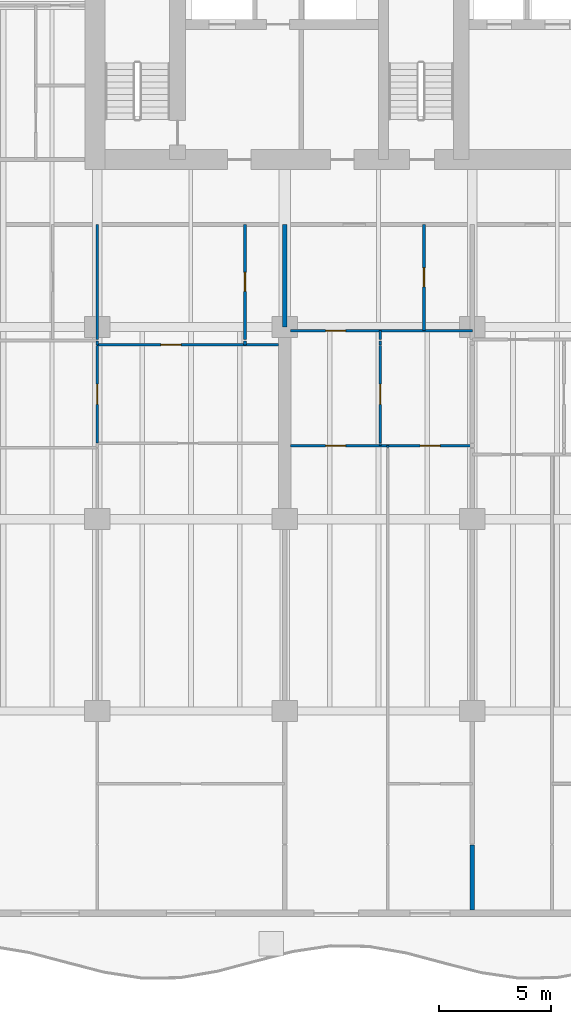
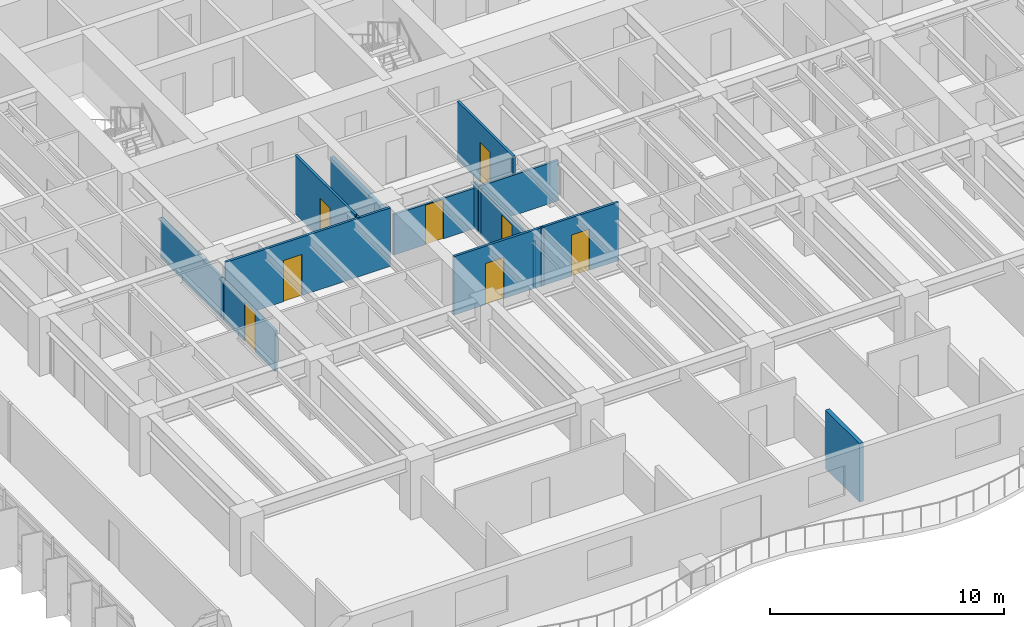
# One storey, part 7 of 18: 16 walls, 8 doors, 8 openings.
"""IFC4 building model written with IfcOpenShell, lengths in metres."""

from ifc_helpers import new_model, si_unit, direction, frame, frame_2d, origin, place, context, subcontext, project, spatial, rectangle, extrude, material, layer, layer_set, type_object, element, fill, save


model = new_model("IFC4")

# Units and contexts
model_context = context("Model", 3, precision=1e-05, world=origin(), true_north=direction((0.0, 1.0)))
body_context = subcontext(model_context, "Body", "Model", "MODEL_VIEW")
ifc_project = project(units=[si_unit("LENGTHUNIT", "METRE"), si_unit("AREAUNIT", "SQUARE_METRE"), si_unit("VOLUMEUNIT", "CUBIC_METRE"), si_unit("PLANEANGLEUNIT", "RADIAN"), si_unit("MASSUNIT", "GRAM", prefix="KILO")], contexts=[model_context])

# Site, building, storey
site_placement = place(None, origin())
site = spatial("IfcSite", under=ifc_project, at=site_placement, CompositionType="ELEMENT")
building_placement = place(site_placement, origin())
building = spatial("IfcBuilding", under=site, at=building_placement, Name="Caelmar Bay Residences", CompositionType="ELEMENT")
storey_placement = place(building_placement, frame((0.0, 0.0, 39.89990234375)))
storey = spatial("IfcBuildingStorey", under=building, at=storey_placement, Name="L09", CompositionType="ELEMENT", Elevation=39.89990234375)

# Wall, opening, door
ifc_material_1 = material(Name="Acoustic metal-stud gypsum partition 120 mm")
ifc_layer_1 = layer(ifc_material_1, 0.1201171875)
ifc_layer_set_1 = layer_set([ifc_layer_1], Name="Acoustic metal-stud gypsum partition 120 mm")
wall_type_1 = type_object("IfcWallType", Name="W-PRT-120", PredefinedType="PARTITIONING", material=ifc_layer_set_1)
wall_1_placement = place(storey_placement, frame((18.300048828125, 24.199951171875, 0.0), z_axis=(0.0, 0.0, 1.0), x_axis=(0.0, 1.0, 0.0)))
wall_1 = element("IfcWall", 1, at=wall_1_placement, inside=storey, type_object=wall_type_1, Name="L09 Partition Wall V023", PredefinedType="PARTITIONING", context=body_context, shape_type="SweptSolid", body=[
    extrude(rectangle(XDim=4.380126953125, YDim=0.1201171875, at=frame_2d((2.18994140625, 0.0))), origin(), (0.0, 0.0, 1.0), 2.110107421875),
])
opening_1_placement = place(wall_1_placement, frame((1.739990234375, 0.0, 0.0)))
opening_1 = element("IfcOpeningElement", 2, at=opening_1_placement, cuts=wall_1, Name="Opening D-L09-126", PredefinedType="OPENING", context=body_context, shape_type="SweptSolid", body=[
    extrude(rectangle(XDim=0.89990234375, YDim=2.06005859375, at=frame_2d((0.449951171875, 1.030029296875))), frame((0.0, 0.070068359375, 0.0), z_axis=(0.0, -1.0, 0.0), x_axis=(1.0, 0.0, 0.0)), (0.0, 0.0, 1.0), 0.14013671875),
])
ifc_material_2 = material(Name="Solid walnut timber interior door leaf and frame", Category="wood")
ifc_layer_2 = layer(ifc_material_2, 0.050048828125)
ifc_layer_set_2 = layer_set([ifc_layer_2], Name="Solid walnut timber interior door leaf and frame")
door_type_1 = type_object("IfcDoorType", Name="D-ROOM-900", OperationType="NOTDEFINED", PredefinedType="DOOR", material=ifc_layer_set_2)
door_1_placement = place(opening_1_placement, origin())
door_1 = element("IfcDoor", 3, at=door_1_placement, inside=storey, type_object=door_type_1, Name="L09 Residence 01 Library Study 1 Door", OperationType="SINGLE_SWING_LEFT", OverallHeight=2.06005859375, OverallWidth=0.89990234375, PredefinedType="DOOR", context=body_context, shape_type="SweptSolid", body=[
    extrude(rectangle(XDim=0.89990234375, YDim=2.06005859375, at=frame_2d((0.449951171875, 1.030029296875))), frame((0.0, 0.02490234375, 0.0), z_axis=(0.0, -1.0, 0.0), x_axis=(1.0, 0.0, 0.0)), (0.0, 0.0, 1.0), 0.050048828125),
])
fill(opening_1, door_1)

# Walls
wall_2_placement = place(storey_placement, frame((18.300048828125, 28.60009765625, 0.0), z_axis=(0.0, 0.0, 1.0), x_axis=(0.0, 1.0, 0.0)))
element("IfcWall", 4, at=wall_2_placement, inside=storey, type_object=wall_type_1, Name="L09 Partition Wall V024", PredefinedType="PARTITIONING", context=body_context, shape_type="SweptSolid", body=[
    extrude(rectangle(XDim=0.179931640625, YDim=0.1201171875, at=frame_2d((0.08984375, 0.0))), origin(), (0.0, 0.0, 1.0), 2.110107421875),
])
wall_3_placement = place(storey_placement, frame((18.300048828125, 28.840087890625, 0.0), z_axis=(0.0, 0.0, 1.0), x_axis=(0.0, 1.0, 0.0)))
element("IfcWall", 5, at=wall_3_placement, inside=storey, type_object=wall_type_1, Name="L09 Partition Wall V025", PredefinedType="PARTITIONING", context=body_context, shape_type="SweptSolid", body=[
    extrude(rectangle(XDim=5.159912109375, YDim=0.1201171875, at=frame_2d((2.580078125, 0.0))), origin(), (0.0, 0.0, 1.0), 2.110107421875),
])
wall_4_placement = place(storey_placement, frame((24.922119140625, 28.60009765625, 0.0), z_axis=(0.0, 0.0, 1.0), x_axis=(0.0, 1.0, 0.0)))
element("IfcWall", 6, at=wall_4_placement, inside=storey, type_object=wall_type_1, Name="L09 Partition Wall V027", PredefinedType="PARTITIONING", context=body_context, shape_type="SweptSolid", body=[
    extrude(rectangle(XDim=0.179931640625, YDim=0.1201171875, at=frame_2d((0.08984375, 0.0))), origin(), (0.0, 0.0, 1.0), 3.050048828125),
])

# Wall, opening, door
wall_5_placement = place(storey_placement, frame((24.922119140625, 28.840087890625, 0.0), z_axis=(0.0, 0.0, 1.0), x_axis=(0.0, 1.0, 0.0)))
wall_5 = element("IfcWall", 7, at=wall_5_placement, inside=storey, type_object=wall_type_1, Name="L09 Partition Wall V028", PredefinedType="PARTITIONING", context=body_context, shape_type="SweptSolid", body=[
    extrude(rectangle(XDim=5.159912109375, YDim=0.1201171875, at=frame_2d((2.580078125, 0.0))), origin(), (0.0, 0.0, 1.0), 3.050048828125),
])
opening_2_placement = place(wall_5_placement, frame((2.155029296875, 0.0, 0.0)))
opening_2 = element("IfcOpeningElement", 8, at=opening_2_placement, cuts=wall_5, Name="Opening D-L09-128", PredefinedType="OPENING", context=body_context, shape_type="SweptSolid", body=[
    extrude(rectangle(XDim=0.85009765625, YDim=2.10009765625, at=frame_2d((0.425048828125, 1.050048828125))), frame((0.0, 0.070068359375, 0.0), z_axis=(0.0, -1.0, 0.0), x_axis=(1.0, 0.0, 0.0)), (0.0, 0.0, 1.0), 0.14013671875),
])
ifc_layer_3 = layer(ifc_material_2, 0.050048828125)
ifc_layer_set_3 = layer_set([ifc_layer_3], Name="Solid walnut timber interior door leaf and frame")
door_type_2 = type_object("IfcDoorType", Name="D-BATH-850", OperationType="NOTDEFINED", PredefinedType="DOOR", material=ifc_layer_set_3)
door_2_placement = place(opening_2_placement, origin())
door_2 = element("IfcDoor", 9, at=door_2_placement, inside=storey, type_object=door_type_2, Name="L09 Residence 01 En-Suite Bathroom 1 Door", OperationType="SINGLE_SWING_LEFT", OverallHeight=2.10009765625, OverallWidth=0.85009765625, PredefinedType="DOOR", context=body_context, shape_type="SweptSolid", body=[
    extrude(rectangle(XDim=0.85009765625, YDim=2.10009765625, at=frame_2d((0.425048828125, 1.050048828125))), frame((0.0, 0.02490234375, 0.0), z_axis=(0.0, -1.0, 0.0), x_axis=(1.0, 0.0, 0.0)), (0.0, 0.0, 1.0), 0.050048828125),
])
fill(opening_2, door_2)

# Wall
wall_6_placement = place(storey_placement, frame((30.986083984375, 24.090087890625, 0.0), z_axis=(0.0, 0.0, 1.0), x_axis=(0.0, 1.0, 0.0)))
element("IfcWall", 10, at=wall_6_placement, inside=storey, type_object=wall_type_1, Name="L09 Partition Wall V035", PredefinedType="PARTITIONING", context=body_context, shape_type="SweptSolid", body=[
    extrude(rectangle(XDim=0.08984375, YDim=0.1201171875, at=frame_2d((0.044921875, 0.0))), origin(), (0.0, 0.0, 1.0), 2.423095703125),
])

# Wall, opening, door
wall_7_placement = place(storey_placement, frame((30.986083984375, 24.199951171875, 0.0), z_axis=(0.0, 0.0, 1.0), x_axis=(0.0, 1.0, 0.0)))
wall_7 = element("IfcWall", 11, at=wall_7_placement, inside=storey, type_object=wall_type_1, Name="L09 Partition Wall V036", PredefinedType="PARTITIONING", context=body_context, shape_type="SweptSolid", body=[
    extrude(rectangle(XDim=4.380126953125, YDim=0.1201171875, at=frame_2d((2.18994140625, 0.0))), origin(), (0.0, 0.0, 1.0), 2.423095703125),
])
opening_3_placement = place(wall_7_placement, frame((1.739990234375, 0.0, 0.0)))
opening_3 = element("IfcOpeningElement", 12, at=opening_3_placement, cuts=wall_7, Name="Opening D-L09-135", PredefinedType="OPENING", context=body_context, shape_type="SweptSolid", body=[
    extrude(rectangle(XDim=0.89990234375, YDim=2.14990234375, at=frame_2d((0.449951171875, 1.074951171875))), frame((0.0, 0.070068359375, 0.0), z_axis=(0.0, -1.0, 0.0), x_axis=(1.0, 0.0, 0.0)), (0.0, 0.0, 1.0), 0.14013671875),
])
door_3_placement = place(opening_3_placement, origin())
door_3 = element("IfcDoor", 13, at=door_3_placement, inside=storey, type_object=door_type_1, Name="L09 Residence 02 Home Office Door", OperationType="SINGLE_SWING_RIGHT", OverallHeight=2.14990234375, OverallWidth=0.89990234375, PredefinedType="DOOR", context=body_context, shape_type="SweptSolid", body=[
    extrude(rectangle(XDim=0.89990234375, YDim=2.14990234375, at=frame_2d((0.449951171875, 1.074951171875))), frame((0.0, 0.02490234375, 0.0), z_axis=(0.0, -1.0, 0.0), x_axis=(1.0, 0.0, 0.0)), (0.0, 0.0, 1.0), 0.050048828125),
])
fill(opening_3, door_3)

# Walls
wall_8_placement = place(storey_placement, frame((30.986083984375, 28.60009765625, 0.0), z_axis=(0.0, 0.0, 1.0), x_axis=(0.0, 1.0, 0.0)))
element("IfcWall", 14, at=wall_8_placement, inside=storey, type_object=wall_type_1, Name="L09 Partition Wall V037", PredefinedType="PARTITIONING", context=body_context, shape_type="SweptSolid", body=[
    extrude(rectangle(XDim=0.179931640625, YDim=0.1201171875, at=frame_2d((0.08984375, 0.0))), origin(), (0.0, 0.0, 1.0), 2.423095703125),
])
wall_9_placement = place(storey_placement, frame((30.986083984375, 28.840087890625, 0.0), z_axis=(0.0, 0.0, 1.0), x_axis=(0.0, 1.0, 0.0)))
element("IfcWall", 15, at=wall_9_placement, inside=storey, type_object=wall_type_1, Name="L09 Partition Wall V038", PredefinedType="PARTITIONING", context=body_context, shape_type="SweptSolid", body=[
    extrude(rectangle(XDim=0.39990234375, YDim=0.1201171875, at=frame_2d((0.199951171875, 0.0))), origin(), (0.0, 0.0, 1.0), 2.423095703125),
])
wall_10_placement = place(storey_placement, frame((31.320068359375, 24.0, 0.0), z_axis=(0.0, 0.0, 1.0), x_axis=(0.0, 1.0, 0.0)))
element("IfcWall", 16, at=wall_10_placement, inside=storey, type_object=wall_type_1, Name="L09 Partition Wall V041", PredefinedType="PARTITIONING", context=body_context, shape_type="SweptSolid", body=[
    extrude(rectangle(XDim=0.090087890625, YDim=0.1201171875, at=frame_2d((0.044921875, 0.0))), origin(), (0.0, 0.0, 1.0), 3.050048828125),
])

# Wall, opening, door
wall_11_placement = place(storey_placement, frame((32.93603515625, 29.239990234375, 0.0), z_axis=(0.0, 0.0, 1.0), x_axis=(0.0, 1.0, 0.0)))
wall_11 = element("IfcWall", 17, at=wall_11_placement, inside=storey, type_object=wall_type_1, Name="L09 Partition Wall V043", PredefinedType="PARTITIONING", context=body_context, shape_type="SweptSolid", body=[
    extrude(rectangle(XDim=4.760009765625, YDim=0.1201171875, at=frame_2d((2.3798828125, 0.0))), origin(), (0.0, 0.0, 1.0), 3.050048828125),
])
opening_4_placement = place(wall_11_placement, frame((1.955078125, 0.0, 0.0)))
opening_4 = element("IfcOpeningElement", 18, at=opening_4_placement, cuts=wall_11, Name="Opening D-L09-133", PredefinedType="OPENING", context=body_context, shape_type="SweptSolid", body=[
    extrude(rectangle(XDim=0.85009765625, YDim=2.10009765625, at=frame_2d((0.425048828125, 1.050048828125))), frame((0.0, 0.070068359375, 0.0), z_axis=(0.0, -1.0, 0.0), x_axis=(1.0, 0.0, 0.0)), (0.0, 0.0, 1.0), 0.14013671875),
])
door_4_placement = place(opening_4_placement, origin())
door_4 = element("IfcDoor", 19, at=door_4_placement, inside=storey, type_object=door_type_2, Name="L09 Residence 02 Bathroom Door", OperationType="SINGLE_SWING_RIGHT", OverallHeight=2.10009765625, OverallWidth=0.85009765625, PredefinedType="DOOR", context=body_context, shape_type="SweptSolid", body=[
    extrude(rectangle(XDim=0.85009765625, YDim=2.10009765625, at=frame_2d((0.425048828125, 1.050048828125))), frame((0.0, 0.02490234375, 0.0), z_axis=(0.0, -1.0, 0.0), x_axis=(1.0, 0.0, 0.0)), (0.0, 0.0, 1.0), 0.050048828125),
])
fill(opening_4, door_4)

# Wall, openings, doors
wall_12_placement = place(storey_placement, frame((26.969970703125, 24.090087890625, 0.0), z_axis=(0.0, 0.0, 1.0), x_axis=(1.0, 0.0, 0.0)))
wall_12 = element("IfcWall", 20, at=wall_12_placement, inside=storey, type_object=wall_type_1, Name="L09 Partition Wall H121", PredefinedType="PARTITIONING", context=body_context, shape_type="SweptSolid", body=[
    extrude(rectangle(XDim=8.130126953125, YDim=0.1201171875, at=frame_2d((4.06494140625, 0.0))), origin(), (0.0, 0.0, 1.0), 3.050048828125),
])
opening_5_placement = place(wall_12_placement, frame((1.55810546875, 0.0, 0.0)))
opening_5 = element("IfcOpeningElement", 21, at=opening_5_placement, cuts=wall_12, Name="Opening D-L09-136", PredefinedType="OPENING", context=body_context, shape_type="SweptSolid", body=[
    extrude(rectangle(XDim=0.89990234375, YDim=2.14990234375, at=frame_2d((0.449951171875, 1.074951171875))), frame((0.0, 0.070068359375, 0.0), z_axis=(0.0, -1.0, 0.0), x_axis=(1.0, 0.0, 0.0)), (0.0, 0.0, 1.0), 0.14013671875),
])
opening_6_placement = place(wall_12_placement, frame((5.7900390625, 0.0, 0.0)))
opening_6 = element("IfcOpeningElement", 22, at=opening_6_placement, cuts=wall_12, Name="Opening D-L09-137", PredefinedType="OPENING", context=body_context, shape_type="SweptSolid", body=[
    extrude(rectangle(XDim=0.89990234375, YDim=2.14990234375, at=frame_2d((0.449951171875, 1.074951171875))), frame((0.0, 0.070068359375, 0.0), z_axis=(0.0, -1.0, 0.0), x_axis=(1.0, 0.0, 0.0)), (0.0, 0.0, 1.0), 0.14013671875),
])
door_5_placement = place(opening_5_placement, origin())
door_5 = element("IfcDoor", 23, at=door_5_placement, inside=storey, type_object=door_type_1, Name="L09 Residence 02 Penthouse Living Salon Door", OperationType="SINGLE_SWING_LEFT", OverallHeight=2.14990234375, OverallWidth=0.89990234375, PredefinedType="DOOR", context=body_context, shape_type="SweptSolid", body=[
    extrude(rectangle(XDim=0.89990234375, YDim=2.14990234375, at=frame_2d((0.449951171875, 1.074951171875))), frame((0.0, 0.02490234375, 0.0), z_axis=(0.0, -1.0, 0.0), x_axis=(1.0, 0.0, 0.0)), (0.0, 0.0, 1.0), 0.050048828125),
])
fill(opening_5, door_5)
door_6_placement = place(opening_6_placement, origin())
door_6 = element("IfcDoor", 24, at=door_6_placement, inside=storey, type_object=door_type_1, Name="L09 Residence 02 Penthouse Sitting Room Door", OperationType="SINGLE_SWING_RIGHT", OverallHeight=2.14990234375, OverallWidth=0.89990234375, PredefinedType="DOOR", context=body_context, shape_type="SweptSolid", body=[
    extrude(rectangle(XDim=0.89990234375, YDim=2.14990234375, at=frame_2d((0.449951171875, 1.074951171875))), frame((0.0, 0.02490234375, 0.0), z_axis=(0.0, -1.0, 0.0), x_axis=(1.0, 0.0, 0.0)), (0.0, 0.0, 1.0), 0.050048828125),
])
fill(opening_6, door_6)

# Wall, opening, door
wall_13_placement = place(storey_placement, frame((18.300048828125, 28.60009765625, 0.0), z_axis=(0.0, 0.0, 1.0), x_axis=(1.0, 0.0, 0.0)))
wall_13 = element("IfcWall", 25, at=wall_13_placement, inside=storey, type_object=wall_type_1, Name="L09 Partition Wall H125", PredefinedType="PARTITIONING", context=body_context, shape_type="SweptSolid", body=[
    extrude(rectangle(XDim=8.1298828125, YDim=0.1201171875, at=frame_2d((4.06494140625, 0.0))), origin(), (0.0, 0.0, 1.0), 3.050048828125),
])
opening_7_placement = place(wall_13_placement, frame((2.861083984375, 0.0, 0.0)))
opening_7 = element("IfcOpeningElement", 26, at=opening_7_placement, cuts=wall_13, Name="Opening D-L09-127", PredefinedType="OPENING", context=body_context, shape_type="SweptSolid", body=[
    extrude(rectangle(XDim=0.89990234375, YDim=2.14990234375, at=frame_2d((0.449951171875, 1.074951171875))), frame((0.0, 0.070068359375, 0.0), z_axis=(0.0, -1.0, 0.0), x_axis=(1.0, 0.0, 0.0)), (0.0, 0.0, 1.0), 0.14013671875),
])
door_7_placement = place(opening_7_placement, origin())
door_7 = element("IfcDoor", 27, at=door_7_placement, inside=storey, type_object=door_type_1, Name="L09 Residence 01 Home Office 1 Door", OperationType="SINGLE_SWING_RIGHT", OverallHeight=2.14990234375, OverallWidth=0.89990234375, PredefinedType="DOOR", context=body_context, shape_type="SweptSolid", body=[
    extrude(rectangle(XDim=0.89990234375, YDim=2.14990234375, at=frame_2d((0.449951171875, 1.074951171875))), frame((0.0, 0.02490234375, 0.0), z_axis=(0.0, -1.0, 0.0), x_axis=(1.0, 0.0, 0.0)), (0.0, 0.0, 1.0), 0.050048828125),
])
fill(opening_7, door_7)

wall_14_placement = place(storey_placement, frame((26.969970703125, 29.239990234375, 0.0), z_axis=(0.0, 0.0, 1.0), x_axis=(1.0, 0.0, 0.0)))
wall_14 = element("IfcWall", 28, at=wall_14_placement, inside=storey, type_object=wall_type_1, Name="L09 Partition Wall H130", PredefinedType="PARTITIONING", context=body_context, shape_type="SweptSolid", body=[
    extrude(rectangle(XDim=8.130126953125, YDim=0.1201171875, at=frame_2d((4.06494140625, 0.0))), origin(), (0.0, 0.0, 1.0), 2.110107421875),
])
opening_8_placement = place(wall_14_placement, frame((1.55810546875, 0.0, 0.0)))
opening_8 = element("IfcOpeningElement", 29, at=opening_8_placement, cuts=wall_14, Name="Opening D-L09-134", PredefinedType="OPENING", context=body_context, shape_type="SweptSolid", body=[
    extrude(rectangle(XDim=0.89990234375, YDim=2.06005859375, at=frame_2d((0.449951171875, 1.030029296875))), frame((0.0, 0.070068359375, 0.0), z_axis=(0.0, -1.0, 0.0), x_axis=(1.0, 0.0, 0.0)), (0.0, 0.0, 1.0), 0.14013671875),
])
door_8_placement = place(opening_8_placement, origin())
door_8 = element("IfcDoor", 30, at=door_8_placement, inside=storey, type_object=door_type_1, Name="L09 Residence 02 Kitchen Door", OperationType="SINGLE_SWING_LEFT", OverallHeight=2.06005859375, OverallWidth=0.89990234375, PredefinedType="DOOR", context=body_context, shape_type="SweptSolid", body=[
    extrude(rectangle(XDim=0.89990234375, YDim=2.06005859375, at=frame_2d((0.449951171875, 1.030029296875))), frame((0.0, 0.02490234375, 0.0), z_axis=(0.0, -1.0, 0.0), x_axis=(1.0, 0.0, 0.0)), (0.0, 0.0, 1.0), 0.050048828125),
])
fill(opening_8, door_8)

# Walls
ifc_material_3 = material(Name="Acoustic twin-stud fire-rated inter-tenancy partition 200 mm")
ifc_layer_4 = layer(ifc_material_3, 0.199951171875)
ifc_layer_set_4 = layer_set([ifc_layer_4], Name="Acoustic twin-stud fire-rated inter-tenancy partition 200 mm")
wall_type_2 = type_object("IfcWallType", Name="W-PTY-200", PredefinedType="PARTITIONING", material=ifc_layer_set_4)
wall_15_placement = place(storey_placement, frame((26.699951171875, 29.405029296875, 0.0), z_axis=(0.0, 0.0, 1.0), x_axis=(0.0, 1.0, 0.0)))
element("IfcWall", 31, at=wall_15_placement, inside=storey, type_object=wall_type_2, Name="L09 Partition Wall V032", PredefinedType="PARTITIONING", context=body_context, shape_type="SweptSolid", body=[
    extrude(rectangle(XDim=4.594970703125, YDim=0.199951171875, at=frame_2d((2.29736328125, 0.0))), origin(), (0.0, 0.0, 1.0), 2.335205078125),
])
wall_16_placement = place(storey_placement, frame((35.10009765625, 3.294921875, 0.0), z_axis=(0.0, 0.0, 1.0), x_axis=(0.0, 1.0, 0.0)))
element("IfcWall", 32, at=wall_16_placement, inside=storey, type_object=wall_type_2, Name="L09 Partition Wall V044", PredefinedType="PARTITIONING", context=body_context, shape_type="SweptSolid", body=[
    extrude(rectangle(XDim=2.905029296875, YDim=0.199951171875, at=frame_2d((1.45263671875, 0.0))), origin(), (0.0, 0.0, 1.0), 3.050048828125),
])

save(model, "model.ifc")
